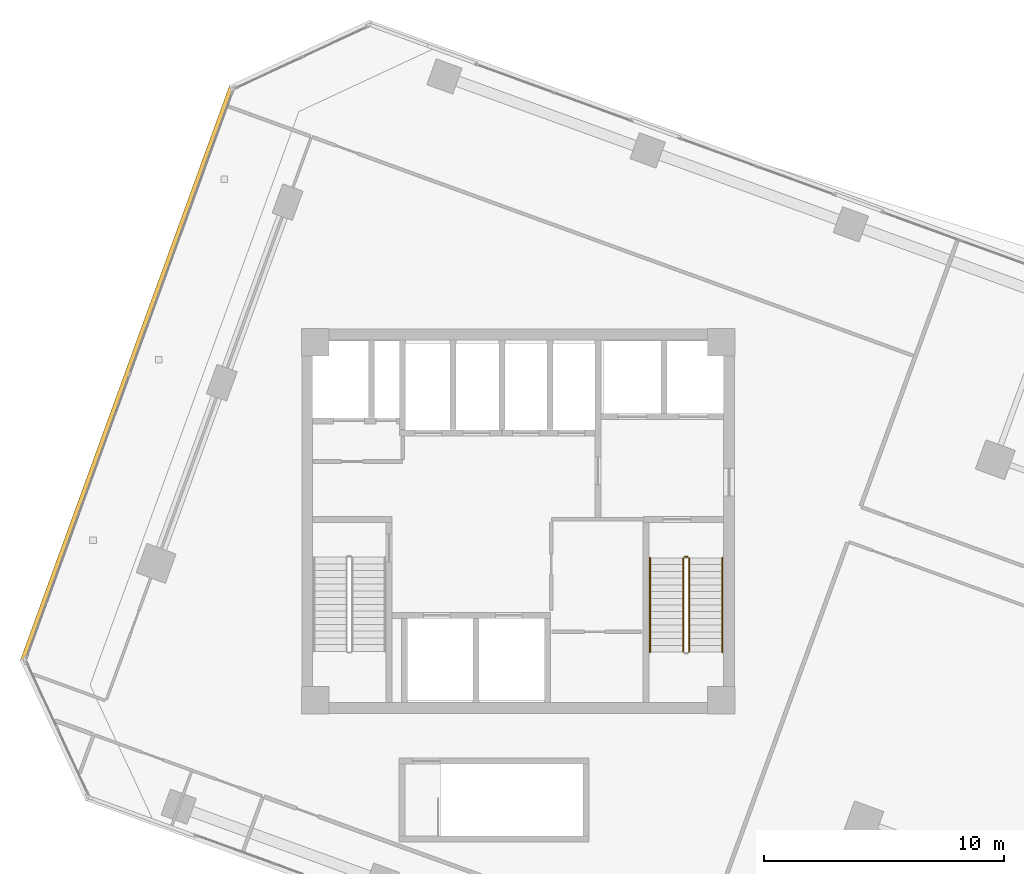
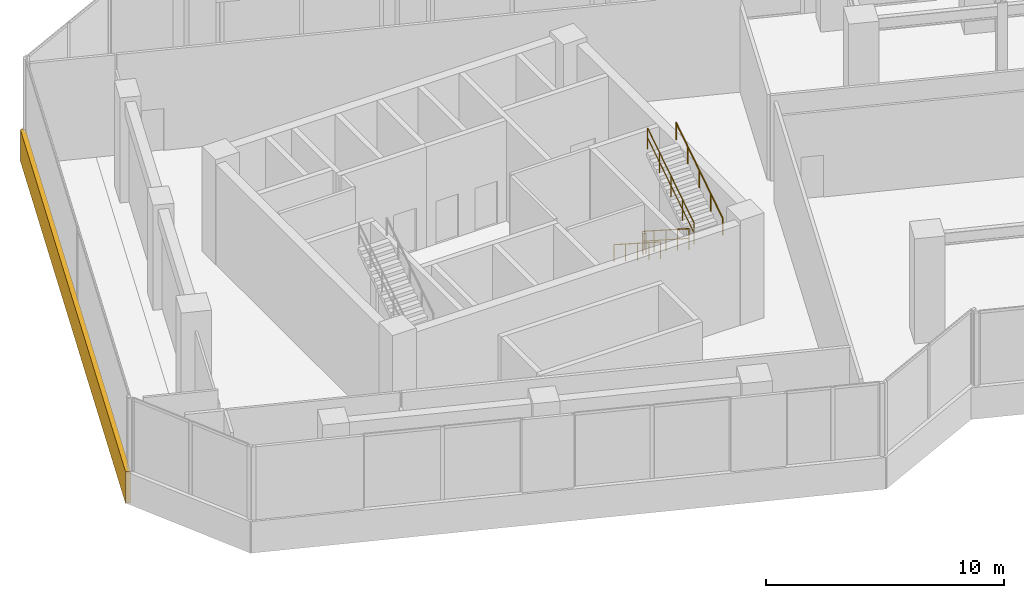
# One storey, part 19 of 21: 5 railings, 1 covering.
"""IFC4 building model written with IfcOpenShell, lengths in metres."""

from ifc_helpers import new_model, si_unit, direction, frame, origin, origin_2d, place, context, subcontext, project, spatial, rectangle, circle, extrude, source, transform, mapped, material, layer, layer_set, type_object, element, save


model = new_model("IFC4")

# Units and contexts
model_context = context("Model", 3, precision=1e-05, world=origin(), true_north=direction((0.0, 1.0)))
body_context = subcontext(model_context, "Body", "Model", "MODEL_VIEW")
ifc_project = project(units=[si_unit("LENGTHUNIT", "METRE"), si_unit("AREAUNIT", "SQUARE_METRE"), si_unit("VOLUMEUNIT", "CUBIC_METRE"), si_unit("PLANEANGLEUNIT", "RADIAN"), si_unit("MASSUNIT", "GRAM", prefix="KILO")], contexts=[model_context])

# Site, building, storey
site_placement = place(None, origin())
site = spatial("IfcSite", under=ifc_project, at=site_placement, CompositionType="ELEMENT")
building_placement = place(site_placement, origin())
building = spatial("IfcBuilding", under=site, at=building_placement, Name="Torre Montelarca", CompositionType="ELEMENT")
storey_placement = place(building_placement, frame((0.0, 0.0, 127.60009765625)))
storey = spatial("IfcBuildingStorey", under=building, at=storey_placement, Name="L28", CompositionType="ELEMENT", Elevation=127.60009765625)

# Railings
ifc_material_1 = material(Name="Powder-coated steel ASTM A500 Grade C", Category="steel")
railing_type_1 = type_object("IfcRailingType", Name="RL-GUARD-1100", PredefinedType="BALUSTRADE", material=ifc_material_1)
railing_1_placement = place(storey_placement, frame((24.8701171875, 30.469970703125, 0.179931640625)))
element("IfcRailing", 1, at=railing_1_placement, inside=storey, type_object=railing_type_1, Name="L28 ST2 stair guard 1", PredefinedType="BALUSTRADE", context=body_context, shape_type="SweptSolid", body=[
    extrude(circle(Radius=0.02392578125, at=origin_2d()), frame((0.0, 0.0, 1.076171875), z_axis=(0.0, -0.841171666519, 0.540768182723), x_axis=(1.0, 0.0, 0.0)), (0.0, 0.0, 1.0), 4.66015625),
    extrude(circle(Radius=0.02099609375, at=origin_2d()), frame((0.0, 0.0, 0.572021484375), z_axis=(0.0, -0.841171666519, 0.540768182723), x_axis=(1.0, 0.0, 0.0)), (0.0, 0.0, 1.0), 4.66015625),
    extrude(circle(Radius=0.02099609375, at=origin_2d()), origin(), (0.0, 0.0, 1.0), 1.052001953125),
    extrude(circle(Radius=0.02099609375, at=origin_2d()), frame((0.0, -0.97998046875, 0.6298828125)), (0.0, 0.0, 1.0), 1.052001953125),
    extrude(circle(Radius=0.02099609375, at=origin_2d()), frame((0.0, -1.9599609375, 1.260009765625)), (0.0, 0.0, 1.0), 1.052001953125),
    extrude(circle(Radius=0.02099609375, at=origin_2d()), frame((0.0, -2.93994140625, 1.89013671875)), (0.0, 0.0, 1.0), 1.052001953125),
    extrude(circle(Radius=0.02099609375, at=origin_2d()), frame((0.0, -3.919921875, 2.52001953125)), (0.0, 0.0, 1.0), 1.052001953125),
])
railing_2_placement = place(storey_placement, frame((25.1201171875, 26.550048828125, 2.8798828125)))
element("IfcRailing", 2, at=railing_2_placement, inside=storey, type_object=railing_type_1, Name="L28 ST2 stair guard 3", PredefinedType="BALUSTRADE", context=body_context, shape_type="SweptSolid", body=[
    extrude(circle(Radius=0.02392578125, at=origin_2d()), frame((0.0, 0.0, 1.076171875), z_axis=(0.0, 0.841171666519, 0.540768182723), x_axis=(-1.0, 0.0, 0.0)), (0.0, 0.0, 1.0), 4.66015625),
    extrude(circle(Radius=0.02099609375, at=origin_2d()), frame((0.0, 0.0, 0.572021484375), z_axis=(0.0, 0.841171666519, 0.540768182723), x_axis=(-1.0, 0.0, 0.0)), (0.0, 0.0, 1.0), 4.66015625),
    extrude(circle(Radius=0.02099609375, at=origin_2d()), origin(), (0.0, 0.0, 1.0), 1.052001953125),
    extrude(circle(Radius=0.02099609375, at=origin_2d()), frame((0.0, 0.97998046875, 0.6298828125)), (0.0, 0.0, 1.0), 1.052001953125),
    extrude(circle(Radius=0.02099609375, at=origin_2d()), frame((0.0, 1.9599609375, 1.260009765625)), (0.0, 0.0, 1.0), 1.052001953125),
    extrude(circle(Radius=0.02099609375, at=origin_2d()), frame((0.0, 2.93994140625, 1.89013671875)), (0.0, 0.0, 1.0), 1.052001953125),
    extrude(circle(Radius=0.02099609375, at=origin_2d()), frame((0.0, 3.919921875, 2.52001953125)), (0.0, 0.0, 1.0), 1.052001953125),
])
railing_3_placement = place(storey_placement, frame((24.919921875, 30.52001953125, 0.0)))
element("IfcRailing", 3, at=railing_3_placement, inside=storey, type_object=railing_type_1, Name="L28 ST2 stair guard 4", PredefinedType="BALUSTRADE", context=body_context, shape_type="SweptSolid", body=[
    extrude(circle(Radius=0.02392578125, at=origin_2d()), frame((0.0, 0.0, 1.076171875), z_axis=(1.0, 0.0, 0.0), x_axis=(0.0, 1.0, 0.0)), (0.0, 0.0, 1.0), 0.150146484375),
    extrude(circle(Radius=0.02099609375, at=origin_2d()), frame((0.0, 0.0, 0.572021484375), z_axis=(1.0, 0.0, 0.0), x_axis=(0.0, 1.0, 0.0)), (0.0, 0.0, 1.0), 0.150146484375),
    extrude(circle(Radius=0.02099609375, at=origin_2d()), origin(), (0.0, 0.0, 1.0), 1.052001953125),
    extrude(circle(Radius=0.02099609375, at=origin_2d()), frame((0.150146484375, 0.0, 0.0)), (0.0, 0.0, 1.0), 1.052001953125),
])
ifc_material_2 = material(Name="Brushed stainless steel AISI 316", Category="steel")
railing_type_2 = type_object("IfcRailingType", Name="RL-HANDRAIL-900", PredefinedType="HANDRAIL", material=ifc_material_2)
railing_4_placement = place(storey_placement, frame((23.489990234375, 30.469970703125, 0.179931640625)))
element("IfcRailing", 4, at=railing_4_placement, inside=storey, type_object=railing_type_2, Name="L28 ST2 stair handrail 1", PredefinedType="HANDRAIL", context=body_context, shape_type="SweptSolid", body=[
    extrude(circle(Radius=0.02392578125, at=origin_2d()), frame((0.0, 0.0, 0.8759765625), z_axis=(0.0, -0.841171666519, 0.540768182723), x_axis=(1.0, 0.0, 0.0)), (0.0, 0.0, 1.0), 4.66015625),
    extrude(circle(Radius=0.02099609375, at=origin_2d()), origin(), (0.0, 0.0, 1.0), 0.851806640625),
    extrude(circle(Radius=0.02099609375, at=origin_2d()), frame((0.0, -0.97998046875, 0.6298828125)), (0.0, 0.0, 1.0), 0.851806640625),
    extrude(circle(Radius=0.02099609375, at=origin_2d()), frame((0.0, -1.9599609375, 1.260009765625)), (0.0, 0.0, 1.0), 0.851806640625),
    extrude(circle(Radius=0.02099609375, at=origin_2d()), frame((0.0, -2.93994140625, 1.89013671875)), (0.0, 0.0, 1.0), 0.851806640625),
    extrude(circle(Radius=0.02099609375, at=origin_2d()), frame((0.0, -3.919921875, 2.52001953125)), (0.0, 0.0, 1.0), 0.851806640625),
])
railing_5_placement = place(storey_placement, frame((26.5, 26.550048828125, 2.8798828125)))
element("IfcRailing", 5, at=railing_5_placement, inside=storey, type_object=railing_type_2, Name="L28 ST2 stair handrail 2", PredefinedType="HANDRAIL", context=body_context, shape_type="SweptSolid", body=[
    extrude(circle(Radius=0.02392578125, at=origin_2d()), frame((0.0, 0.0, 0.8759765625), z_axis=(0.0, 0.841171666519, 0.540768182723), x_axis=(-1.0, 0.0, 0.0)), (0.0, 0.0, 1.0), 4.66015625),
    extrude(circle(Radius=0.02099609375, at=origin_2d()), origin(), (0.0, 0.0, 1.0), 0.851806640625),
    extrude(circle(Radius=0.02099609375, at=origin_2d()), frame((0.0, 0.97998046875, 0.6298828125)), (0.0, 0.0, 1.0), 0.851806640625),
    extrude(circle(Radius=0.02099609375, at=origin_2d()), frame((0.0, 1.9599609375, 1.260009765625)), (0.0, 0.0, 1.0), 0.851806640625),
    extrude(circle(Radius=0.02099609375, at=origin_2d()), frame((0.0, 2.93994140625, 1.89013671875)), (0.0, 0.0, 1.0), 0.851806640625),
    extrude(circle(Radius=0.02099609375, at=origin_2d()), frame((0.0, 3.919921875, 2.52001953125)), (0.0, 0.0, 1.0), 0.851806640625),
])

# Covering
ifc_material_3 = material(Name="Bush-hammered warm white precast concrete C45/55", Category="concrete")
ifc_layer = layer(ifc_material_3, 0.139892578125, Name="Bush-hammered warm white precast concrete C45/55", Category="concrete")
ifc_layer_set = layer_set([ifc_layer], Name="Bush-hammered warm white precast concrete C45/55")
covering_type = type_object("IfcCoveringType", Name="COV-TRAY-CLAD", PredefinedType="CLADDING", material=ifc_layer_set)
shared_shape = source(origin(), body_context, "Body", "SweptSolid", [
    extrude(rectangle(XDim=25.52001953125, YDim=0.219970703125, at=origin_2d()), origin(), (0.0, 0.0, 1.0), 1.6201171875),
])
covering_placement = place(storey_placement, frame((1.734619140625, 38.1298828125, -0.4501953125), z_axis=(0.0, 0.0, 1.0), x_axis=(-0.342020143326, -0.939692620786, 0.0)))
element("IfcCovering", 6, at=covering_placement, inside=storey, type_object=covering_type, Name="L28 Architectural White Spandrel Tray Band TRYBOT-10", PredefinedType="CLADDING", context=body_context, shape_type="MappedRepresentation", body=[
    mapped(shared_shape, transform((0.0, 0.0, 0.0), scale=1.0)),
])

save(model, "model.ifc")
